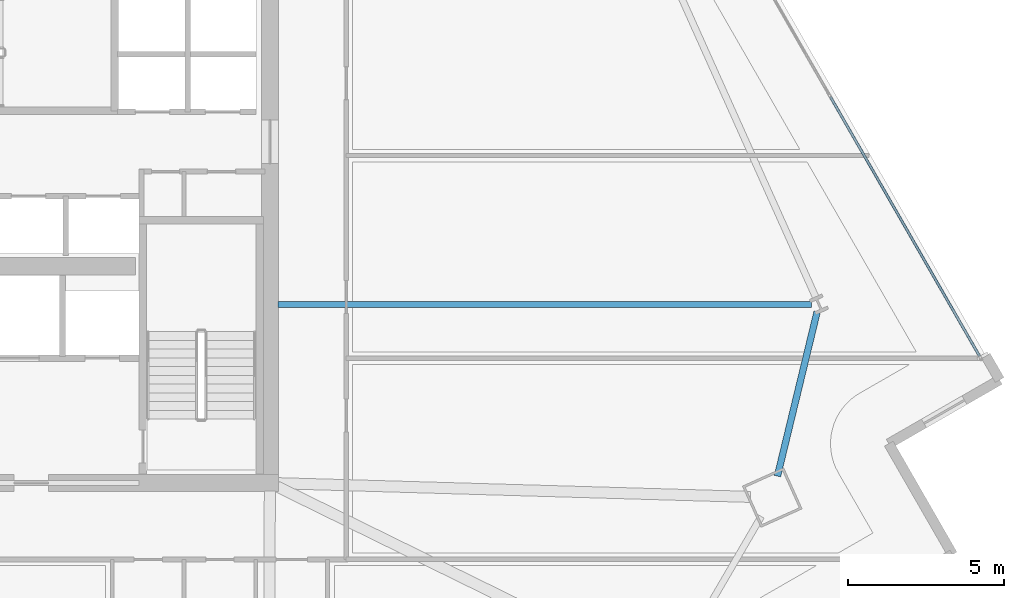
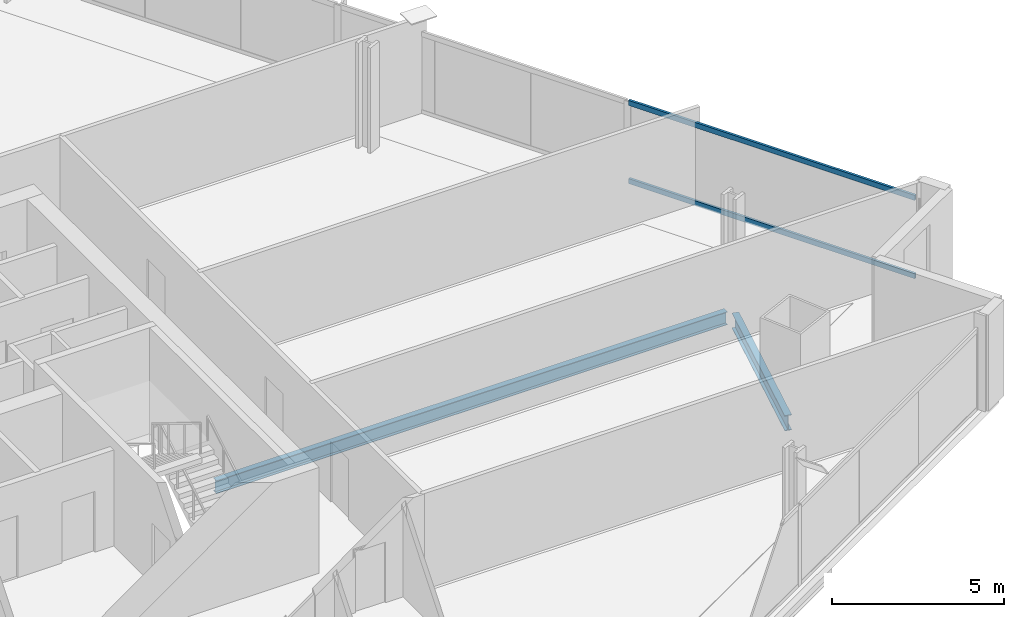
# One storey, part 10 of 33: 2 beams, 2 members, 1 element without a shape of its own.
"""IFC4 building model written with IfcOpenShell, lengths in metres."""

from ifc_helpers import new_model, si_unit, direction, frame, origin, origin_2d, place, context, subcontext, project, spatial, hollow_rectangle, i_section, extrude, material, material_profile, profile_set, type_object, element, aggregate, save


model = new_model("IFC4")

# Units and contexts
model_context = context("Model", 3, precision=1e-05, world=origin(), true_north=direction((0.0, 1.0)))
body_context = subcontext(model_context, "Body", "Model", "MODEL_VIEW")
ifc_project = project(units=[si_unit("LENGTHUNIT", "METRE"), si_unit("AREAUNIT", "SQUARE_METRE"), si_unit("VOLUMEUNIT", "CUBIC_METRE"), si_unit("PLANEANGLEUNIT", "RADIAN"), si_unit("MASSUNIT", "GRAM", prefix="KILO")], contexts=[model_context])

# Site, building, storey
site_placement = place(None, origin())
site = spatial("IfcSite", under=ifc_project, at=site_placement, CompositionType="ELEMENT")
building_placement = place(site_placement, origin())
building = spatial("IfcBuilding", under=site, at=building_placement, Name="Haldenkirk Collegiate Tower", CompositionType="ELEMENT")
storey_placement = place(building_placement, frame((0.0, 0.0, 127.949951171875)))
storey = spatial("IfcBuildingStorey", under=building, at=storey_placement, Name="L31", CompositionType="ELEMENT", Elevation=127.949951171875)

# Beams
ifc_material_1 = material(Name="Steel ASTM A992 Grade 50", Category="steel")
ifc_material_profile_1 = material_profile(ifc_material_1, i_section(OverallWidth=0.19189453125, OverallDepth=0.462890625, WebThickness=0.010498046875, FlangeThickness=0.017578125, at=origin_2d()), Name="W18X60")
ifc_profile_set_1 = profile_set([ifc_material_profile_1], Name="Steel ASTM A992 Grade 50")
beam_type_1 = type_object("IfcBeamType", Name="BM-JOIST-W18X60", PredefinedType="JOIST", material=ifc_profile_set_1)
beam_1_placement = place(storey_placement, frame((62.363037109375, 23.727294921875, -0.531494140625), z_axis=(-1.0, 0.0, 0.0), x_axis=(0.0, -1.0, 0.0)))
element("IfcBeam", 1, at=beam_1_placement, inside=storey, type_object=beam_type_1, Name="L31 composite floor joist 08", PredefinedType="JOIST", context=body_context, shape_type="SweptSolid", body=[
    extrude(i_section(OverallWidth=0.19189453125, OverallDepth=0.462890625, WebThickness=0.010498046875, FlangeThickness=0.017578125, at=origin_2d()), origin(), (0.0, 0.0, 1.0), 17.108154296875),
])
ifc_material_profile_2 = material_profile(ifc_material_1, i_section(OverallWidth=0.2119140625, OverallDepth=0.5439453125, WebThickness=0.01318359375, FlangeThickness=0.021240234375, at=origin_2d()), Name="W21X83")
ifc_profile_set_2 = profile_set([ifc_material_profile_2], Name="Steel ASTM A992 Grade 50")
beam_type_2 = type_object("IfcBeamType", Name="BM-SPANDREL-W21X83", PredefinedType="SPANDREL", material=ifc_profile_set_2)
beam_2_placement = place(storey_placement, frame((61.277587890625, 18.21826171875, -0.572021484375), z_axis=(0.234815122269, 0.972040049768, 0.0), x_axis=(-0.972040049768, 0.234815122269, 0.0)))
element("IfcBeam", 2, at=beam_2_placement, inside=storey, type_object=beam_type_2, Name="L31 perimeter spandrel beam 05", PredefinedType="SPANDREL", context=body_context, shape_type="SweptSolid", body=[
    extrude(i_section(OverallWidth=0.2119140625, OverallDepth=0.5439453125, WebThickness=0.01318359375, FlangeThickness=0.021240234375, at=origin_2d()), origin(), (0.0, 0.0, 1.0), 5.422119140625),
])

# Curtain wall, members
ifc_material_2 = material(Name="Anodised architectural bronze aluminium", Category="aluminium")
curtain_wall_type = type_object("IfcCurtainWallType", Name="CW-SYS1-CONVEX-LOW", PredefinedType="USERDEFINED", material=ifc_material_2)
curtain_wall_placement = place(storey_placement, origin())
curtain_wall = element("IfcCurtainWall", 3, at=curtain_wall_placement, inside=storey, type_object=curtain_wall_type, Name="L31 Lower tower convex bronze-framed unitised curtain wall", ObjectType="UNITISED CURTAIN WALL", PredefinedType="USERDEFINED")
ifc_material_profile_3 = material_profile(ifc_material_2, hollow_rectangle(XDim=0.080078125, YDim=0.179931640625, WallThickness=0.0048828125, at=origin_2d()), Name="CW-TRN-1A")
ifc_profile_set_3 = profile_set([ifc_material_profile_3], Name="Anodised architectural bronze aluminium")
member_type = type_object("IfcMemberType", Name="CW-TRN-1A", PredefinedType="USERDEFINED", material=ifc_profile_set_3)
member_1_placement = place(storey_placement, frame((62.97509765625, 30.384033203125, 0.0400390625), z_axis=(0.498495495537, -0.866892289116, 0.0), x_axis=(0.866892289116, 0.498495495537, 0.0)))
member_1 = element("IfcMember", 4, at=member_1_placement, type_object=member_type, Name="CW-1A transom 4.1", ObjectType="TRANSOM", PredefinedType="USERDEFINED", context=body_context, shape_type="SweptSolid", body=[
    extrude(hollow_rectangle(XDim=0.080078125, YDim=0.179931640625, WallThickness=0.0048828125, at=origin_2d()), origin(), (0.0, 0.0, 1.0), 9.5986328125),
])
member_2_placement = place(storey_placement, frame((62.97509765625, 30.384033203125, 2.81103515625), z_axis=(0.498495495537, -0.866892289116, 0.0), x_axis=(0.866892289116, 0.498495495537, 0.0)))
member_2 = element("IfcMember", 5, at=member_2_placement, type_object=member_type, Name="CW-1A transom 4.2", ObjectType="TRANSOM", PredefinedType="USERDEFINED", context=body_context, shape_type="SweptSolid", body=[
    extrude(hollow_rectangle(XDim=0.080078125, YDim=0.179931640625, WallThickness=0.0048828125, at=origin_2d()), origin(), (0.0, 0.0, 1.0), 9.5986328125),
])
aggregate(curtain_wall, [member_1, member_2])

save(model, "model.ifc")
